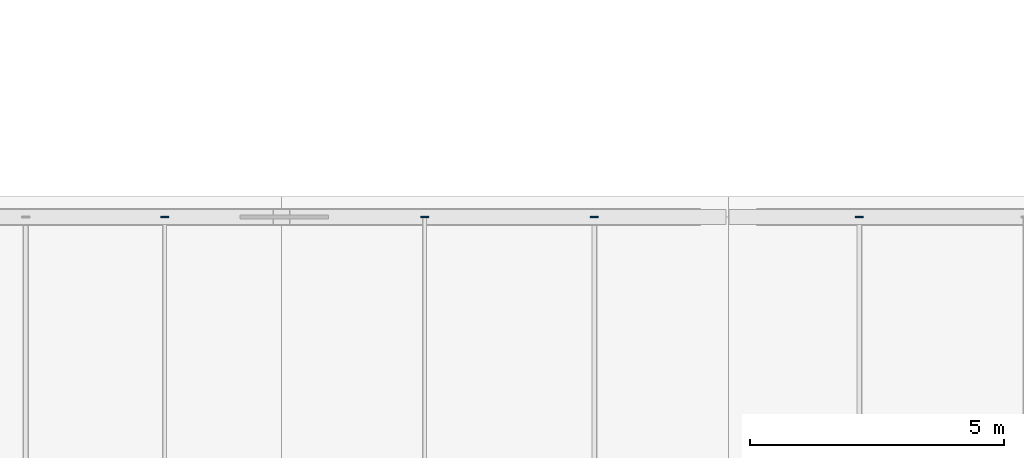
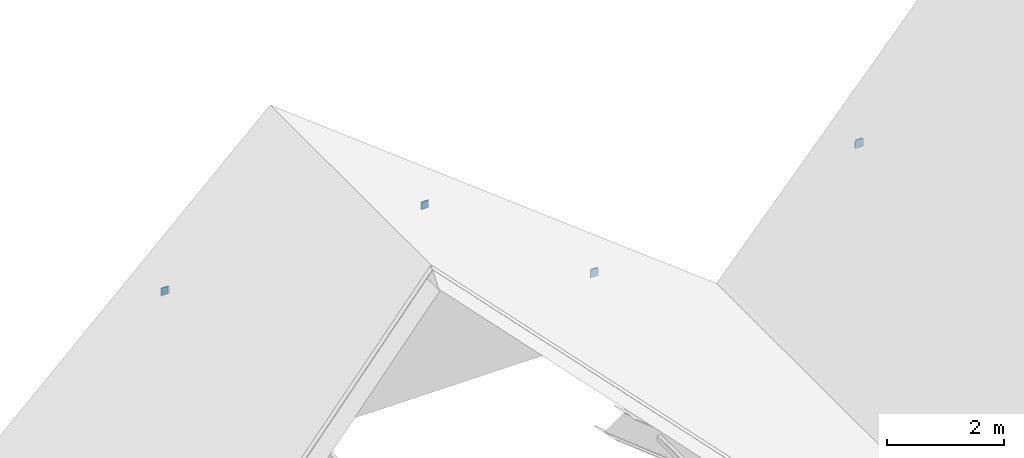
# One storey, part 46 of 64: 8 plates.
"""IFC4 building model written with IfcOpenShell, lengths in metres."""

from ifc_helpers import new_model, si_unit, direction, frame, origin, origin_2d, place, context, subcontext, project, spatial, rectangle, extrude, material, layer, layer_set, type_object, element, save


model = new_model("IFC4")

# Units and contexts
model_context = context("Model", 3, precision=1e-05, world=origin(), true_north=direction((0.0, 1.0)))
body_context = subcontext(model_context, "Body", "Model", "MODEL_VIEW")
ifc_project = project(units=[si_unit("LENGTHUNIT", "METRE"), si_unit("AREAUNIT", "SQUARE_METRE"), si_unit("VOLUMEUNIT", "CUBIC_METRE"), si_unit("PLANEANGLEUNIT", "RADIAN"), si_unit("MASSUNIT", "GRAM", prefix="KILO")], contexts=[model_context])

# Site, building, storey
site_placement = place(None, origin())
site = spatial("IfcSite", under=ifc_project, at=site_placement, CompositionType="ELEMENT")
building_placement = place(site_placement, origin())
building = spatial("IfcBuilding", under=site, at=building_placement, Name="Zhaolan Boulevard Law Courts", CompositionType="ELEMENT")
storey_placement = place(building_placement, frame((0.0, 0.0, 20.39990234375)))
storey = spatial("IfcBuildingStorey", under=building, at=storey_placement, Name="L04", CompositionType="ELEMENT", Elevation=20.39990234375)

# Plates
ifc_material = material(Name="Structural steel Q355B", Category="steel")
ifc_layer = layer(ifc_material, 0.02001953125)
ifc_layer_set = layer_set([ifc_layer])
plate_type = type_object("IfcPlateType", Name="END CAP PLATE 20", PredefinedType="SHEET", material=ifc_layer_set)
for number, where, z_axis, x_axis, name in (
    (1, (81.360107421875, 94.0, 1.376953125), (0.0, 0.0, 1.0), (1.0, 0.0, 0.0), "Purlin End-Cap Plate ECP-GPR2EN"),
    (2, (72.89599609375, 94.0, 3.9609375), (0.0, 0.0, 1.0), (1.0, 0.0, 0.0), "Purlin End-Cap Plate ECP-GPR2WN"),
    (3, (78.01611328125, 94.0, 3.9609375), (0.0, 0.0, 1.0), (1.0, 0.0, 0.0), "Purlin End-Cap Plate ECP-GPR2EN"),
    (4, (86.580078125, 94.0, 2.24609375), (0.0, 0.0, 1.0), (1.0, 0.0, 0.0), "Purlin End-Cap Plate ECP-GPR3WN"),
):
    element("IfcPlate", number, at=place(storey_placement, frame(where, z_axis=z_axis, x_axis=x_axis)), inside=storey, type_object=plate_type, Name=name, PredefinedType="SHEET", context=body_context, shape_type="SweptSolid", body=[
        extrude(rectangle(XDim=0.159912109375, YDim=0.02001953125, at=origin_2d()), origin(), (0.0, 0.0, 1.0), 0.159912109375),
    ])
plate_1_placement = place(storey_placement, frame((81.360107421875, 94.008056640625, 1.3671875), z_axis=(0.0, 0.0, 1.0), x_axis=(0.0, 1.0, 0.0)))
element("IfcPlate", 5, at=plate_1_placement, inside=storey, type_object=plate_type, Name="Hollow Section End-Cap Plate ECP-1436", PredefinedType="SHEET", context=body_context, shape_type="SweptSolid", body=[
    extrude(rectangle(XDim=0.02001953125, YDim=0.1298828125, at=origin_2d()), origin(), (0.0, 0.0, 1.0), 0.179931640625),
])
for number, where, z_axis, x_axis, name in (
    (6, (72.89599609375, 94.008056640625, 3.966064453125), (0.0, 0.0, 1.0), (0.0, 1.0, 0.0), "Hollow Section End-Cap Plate ECP-1438"),
    (7, (78.01611328125, 94.008056640625, 3.966064453125), (0.0, 0.0, 1.0), (0.0, 1.0, 0.0), "Hollow Section End-Cap Plate ECP-1440"),
):
    element("IfcPlate", number, at=place(storey_placement, frame(where, z_axis=z_axis, x_axis=x_axis)), inside=storey, type_object=plate_type, Name=name, PredefinedType="SHEET", context=body_context, shape_type="SweptSolid", body=[
        extrude(rectangle(XDim=0.02001953125, YDim=0.110107421875, at=origin_2d()), origin(), (0.0, 0.0, 1.0), 0.14990234375),
    ])
plate_2_placement = place(storey_placement, frame((86.580078125, 94.008056640625, 2.236328125), z_axis=(0.0, 0.0, 1.0), x_axis=(0.0, 1.0, 0.0)))
element("IfcPlate", 8, at=plate_2_placement, inside=storey, type_object=plate_type, Name="Hollow Section End-Cap Plate ECP-1442", PredefinedType="SHEET", context=body_context, shape_type="SweptSolid", body=[
    extrude(rectangle(XDim=0.02001953125, YDim=0.1298828125, at=origin_2d()), origin(), (0.0, 0.0, 1.0), 0.179931640625),
])

save(model, "model.ifc")
